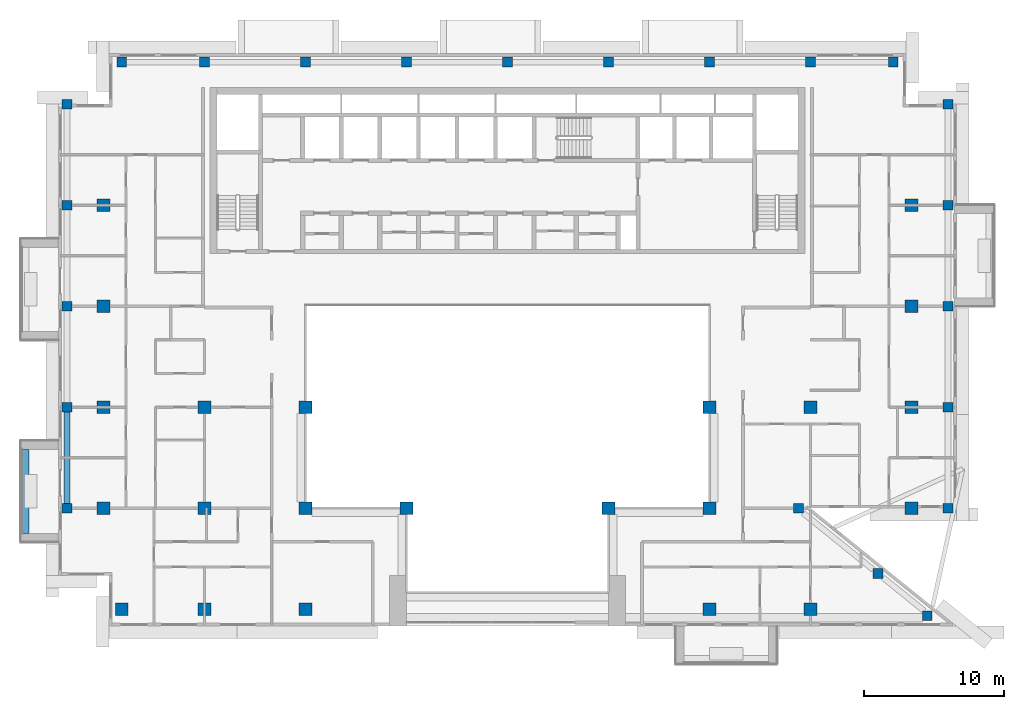
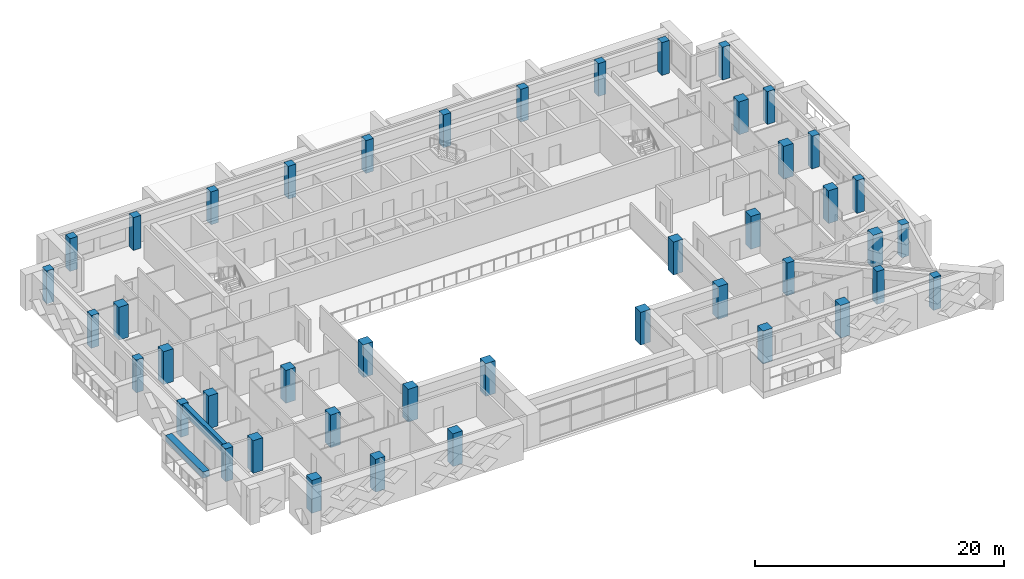
# One storey, part 1 of 19: 44 columns, 2 beams.
"""IFC4 building model written with IfcOpenShell, lengths in metres."""

from ifc_helpers import new_model, si_unit, direction, frame, origin, origin_2d, place, context, subcontext, project, spatial, rectangle, extrude, source, transform, mapped, material, material_profile, profile_set, type_object, element, save


model = new_model("IFC4")

# Units and contexts
model_context = context("Model", 3, precision=1e-05, world=origin(), true_north=direction((0.0, 1.0)))
body_context = subcontext(model_context, "Body", "Model", "MODEL_VIEW")
ifc_project = project(units=[si_unit("LENGTHUNIT", "METRE"), si_unit("AREAUNIT", "SQUARE_METRE"), si_unit("VOLUMEUNIT", "CUBIC_METRE"), si_unit("PLANEANGLEUNIT", "RADIAN"), si_unit("MASSUNIT", "GRAM", prefix="KILO")], contexts=[model_context])

# Site, building, storey
site_placement = place(None, origin())
site = spatial("IfcSite", under=ifc_project, at=site_placement, CompositionType="ELEMENT")
building_placement = place(site_placement, origin())
building = spatial("IfcBuilding", under=site, at=building_placement, Name="Saffron Iwan Residences", CompositionType="ELEMENT")
storey_placement = place(building_placement, frame((0.0, 0.0, 229.0)))
storey = spatial("IfcBuildingStorey", under=building, at=storey_placement, Name="L61", CompositionType="ELEMENT", Elevation=229.0)

# Columns
ifc_material_1 = material(Name="Concrete C40/50", Category="concrete")
ifc_material_profile_1 = material_profile(ifc_material_1, rectangle(XDim=0.89990234375, YDim=0.89990234375, at=origin_2d()), Name="RC 900x900")
ifc_profile_set_1 = profile_set([ifc_material_profile_1], Name="Concrete C40/50")
column_type_1 = type_object("IfcColumnType", Name="COL RC 900x900 C40/50 3220 HIGH", PredefinedType="COLUMN", material=ifc_profile_set_1)
shared_shape_1 = source(origin(), body_context, "Body", "SweptSolid", [
    extrude(rectangle(XDim=0.89990234375, YDim=0.89990234375, at=origin_2d()), origin(), (0.0, 0.0, 1.0), 3.219970703125),
])
for number, where, z_axis, x_axis, name in (
    (1, (22.89990234375, 40.800048828125, 0.0), (0.0, 0.0, 1.0), (1.0, 0.0, 0.0), "Column C050"),
    (2, (28.800048828125, 40.800048828125, 0.0), (0.0, 0.0, 1.0), (1.0, 0.0, 0.0), "Column C051"),
    (3, (36.0, 40.800048828125, 0.0), (0.0, 0.0, 1.0), (1.0, 0.0, 0.0), "Column C052"),
    (4, (64.800048828125, 40.800048828125, 0.0), (0.0, 0.0, 1.0), (1.0, 0.0, 0.0), "Column C055"),
    (5, (72.0, 40.800048828125, 0.0), (0.0, 0.0, 1.0), (1.0, 0.0, 0.0), "Column C056"),
    (6, (21.60009765625, 48.0, 0.0), (0.0, 0.0, 1.0), (1.0, 0.0, 0.0), "Column C063"),
    (7, (28.800048828125, 48.0, 0.0), (0.0, 0.0, 1.0), (1.0, 0.0, 0.0), "Column C064"),
    (8, (36.0, 48.0, 0.0), (0.0, 0.0, 1.0), (1.0, 0.0, 0.0), "Column C065"),
    (9, (43.199951171875, 48.0, 0.0), (0.0, 0.0, 1.0), (1.0, 0.0, 0.0), "Column C066"),
    (10, (57.60009765625, 48.0, 0.0), (0.0, 0.0, 1.0), (1.0, 0.0, 0.0), "Column C068"),
    (11, (64.800048828125, 48.0, 0.0), (0.0, 0.0, 1.0), (1.0, 0.0, 0.0), "Column C069"),
    (12, (79.199951171875, 48.0, 0.0), (0.0, 0.0, 1.0), (1.0, 0.0, 0.0), "Column C072"),
    (13, (21.60009765625, 55.199951171875, 0.0), (0.0, 0.0, 1.0), (1.0, 0.0, 0.0), "Column C079"),
    (14, (28.800048828125, 55.199951171875, 0.0), (0.0, 0.0, 1.0), (1.0, 0.0, 0.0), "Column C080"),
    (15, (36.0, 55.199951171875, 0.0), (0.0, 0.0, 1.0), (1.0, 0.0, 0.0), "Column C081"),
    (16, (64.800048828125, 55.199951171875, 0.0), (0.0, 0.0, 1.0), (1.0, 0.0, 0.0), "Column C082"),
    (17, (72.0, 55.199951171875, 0.0), (0.0, 0.0, 1.0), (1.0, 0.0, 0.0), "Column C083"),
    (18, (79.199951171875, 55.199951171875, 0.0), (0.0, 0.0, 1.0), (1.0, 0.0, 0.0), "Column C084"),
    (19, (21.60009765625, 62.39990234375, 0.0), (0.0, 0.0, 1.0), (1.0, 0.0, 0.0), "Column C091"),
    (20, (79.199951171875, 62.39990234375, 0.0), (0.0, 0.0, 1.0), (1.0, 0.0, 0.0), "Column C092"),
    (21, (21.60009765625, 69.60009765625, 0.0), (0.0, 0.0, 1.0), (1.0, 0.0, 0.0), "Column C099"),
    (22, (79.199951171875, 69.60009765625, 0.0), (0.0, 0.0, 1.0), (1.0, 0.0, 0.0), "Column C100"),
):
    element("IfcColumn", number, at=place(storey_placement, frame(where, z_axis=z_axis, x_axis=x_axis)), inside=storey, type_object=column_type_1, Name=name, PredefinedType="COLUMN", context=body_context, shape_type="MappedRepresentation", body=[
        mapped(shared_shape_1, transform((0.0, 0.0, 0.0))),
    ])
ifc_material_profile_2 = material_profile(ifc_material_1, rectangle(XDim=0.699951171875, YDim=0.699951171875, at=origin_2d()), Name="RC 700x700")
ifc_profile_set_2 = profile_set([ifc_material_profile_2], Name="Concrete C40/50")
column_type_2 = type_object("IfcColumnType", Name="COL RC 700x700 C40/50 3220 HIGH", PredefinedType="COLUMN", material=ifc_profile_set_2)
shared_shape_2 = source(origin(), body_context, "Body", "SweptSolid", [
    extrude(rectangle(XDim=0.699951171875, YDim=0.699951171875, at=origin_2d()), origin(), (0.0, 0.0, 1.0), 3.219970703125),
])
for number, where, z_axis, x_axis, name in (
    (23, (80.32568359375, 40.3330078125, 0.0), (0.0, 0.0, 1.0), (1.0, 0.0, 0.0), "Column C046"),
    (24, (76.822998046875, 43.333251953125, 0.0), (0.0, 0.0, 1.0), (1.0, 0.0, 0.0), "Column C057"),
    (25, (19.0, 48.0, 0.0), (0.0, 0.0, 1.0), (1.0, 0.0, 0.0), "Column C062"),
    (26, (71.14990234375, 48.0, 0.0), (0.0, 0.0, 1.0), (1.0, 0.0, 0.0), "Column C070"),
    (27, (81.800048828125, 48.0, 0.0), (0.0, 0.0, 1.0), (1.0, 0.0, 0.0), "Column C073"),
    (28, (19.0, 55.199951171875, 0.0), (0.0, 0.0, 1.0), (1.0, 0.0, 0.0), "Column C078"),
    (29, (81.800048828125, 55.199951171875, 0.0), (0.0, 0.0, 1.0), (1.0, 0.0, 0.0), "Column C085"),
    (30, (19.0, 62.39990234375, 0.0), (0.0, 0.0, 1.0), (1.0, 0.0, 0.0), "Column C090"),
    (31, (81.800048828125, 62.39990234375, 0.0), (0.0, 0.0, 1.0), (1.0, 0.0, 0.0), "Column C093"),
    (32, (19.0, 69.60009765625, 0.0), (0.0, 0.0, 1.0), (1.0, 0.0, 0.0), "Column C098"),
    (33, (81.800048828125, 69.60009765625, 0.0), (0.0, 0.0, 1.0), (1.0, 0.0, 0.0), "Column C101"),
    (34, (19.0, 76.800048828125, 0.0), (0.0, 0.0, 1.0), (1.0, 0.0, 0.0), "Column C106"),
    (35, (81.800048828125, 76.800048828125, 0.0), (0.0, 0.0, 1.0), (1.0, 0.0, 0.0), "Column C109"),
    (36, (22.89990234375, 79.800048828125, 0.0), (0.0, 0.0, 1.0), (1.0, 0.0, 0.0), "Column C114"),
    (37, (28.800048828125, 79.800048828125, 0.0), (0.0, 0.0, 1.0), (1.0, 0.0, 0.0), "Column C115"),
    (38, (36.0, 79.800048828125, 0.0), (0.0, 0.0, 1.0), (1.0, 0.0, 0.0), "Column C116"),
    (39, (43.199951171875, 79.800048828125, 0.0), (0.0, 0.0, 1.0), (1.0, 0.0, 0.0), "Column C117"),
    (40, (50.39990234375, 79.800048828125, 0.0), (0.0, 0.0, 1.0), (1.0, 0.0, 0.0), "Column C118"),
    (41, (57.60009765625, 79.800048828125, 0.0), (0.0, 0.0, 1.0), (1.0, 0.0, 0.0), "Column C119"),
    (42, (64.800048828125, 79.800048828125, 0.0), (0.0, 0.0, 1.0), (1.0, 0.0, 0.0), "Column C120"),
    (43, (72.0, 79.800048828125, 0.0), (0.0, 0.0, 1.0), (1.0, 0.0, 0.0), "Column C121"),
    (44, (77.89990234375, 79.800048828125, 0.0), (0.0, 0.0, 1.0), (1.0, 0.0, 0.0), "Column C122"),
):
    element("IfcColumn", number, at=place(storey_placement, frame(where, z_axis=z_axis, x_axis=x_axis)), inside=storey, type_object=column_type_2, Name=name, PredefinedType="COLUMN", context=body_context, shape_type="MappedRepresentation", body=[
        mapped(shared_shape_2, transform((0.0, 0.0, 0.0))),
    ])

# Beams
ifc_material_profile_3 = material_profile(ifc_material_1, rectangle(XDim=0.39990234375, YDim=0.89990234375, at=origin_2d()), Name="RC 400x900")
ifc_profile_set_3 = profile_set([ifc_material_profile_3], Name="Concrete C40/50")
beam_type_1 = type_object("IfcBeamType", Name="SPANDREL BEAM RC 400x900 C40/50 TOP 3220", PredefinedType="SPANDREL", material=ifc_profile_set_3)
shared_shape_3 = source(origin(), body_context, "Body", "SweptSolid", [
    extrude(rectangle(XDim=0.39990234375, YDim=0.89990234375, at=origin_2d()), origin(), (0.0, 0.0, 1.0), 6.5),
])
beam_1_placement = place(storey_placement, frame((19.0, 48.35009765625, 2.77001953125), z_axis=(0.0, 1.0, 0.0), x_axis=(-1.0, 0.0, 0.0)))
element("IfcBeam", 45, at=beam_1_placement, inside=storey, type_object=beam_type_1, Name="Spandrel beam", PredefinedType="SPANDREL", context=body_context, shape_type="MappedRepresentation", body=[
    mapped(shared_shape_3, transform((0.0, 0.0, 0.0))),
])
ifc_material_2 = material(Name="Concrete C50/60 white painted", Category="concrete")
ifc_material_profile_4 = material_profile(ifc_material_2, rectangle(XDim=0.60009765625, YDim=0.60009765625, at=origin_2d()), Name="BALCONY FASCIA BEAM 600 x 600")
ifc_profile_set_4 = profile_set([ifc_material_profile_4], Name="Concrete C50/60 white painted")
beam_type_2 = type_object("IfcBeamType", Name="BALCONY FASCIA BEAM 600 x 600", PredefinedType="BEAM", material=ifc_profile_set_4)
shared_shape_4 = source(origin(), body_context, "Body", "SweptSolid", [
    extrude(rectangle(XDim=0.60009765625, YDim=0.60009765625, at=origin_2d()), origin(), (0.0, 0.0, 1.0), 6.0),
])
beam_2_placement = place(storey_placement, frame((16.0, 52.199951171875, 2.550048828125), z_axis=(0.0, -1.0, 0.0), x_axis=(1.0, 0.0, 0.0)))
element("IfcBeam", 46, at=beam_2_placement, inside=storey, type_object=beam_type_2, Name="Balcony fascia beam L61 F8-1", PredefinedType="BEAM", context=body_context, shape_type="MappedRepresentation", body=[
    mapped(shared_shape_4, transform((0.0, 0.0, 0.0))),
])

save(model, "model.ifc")
